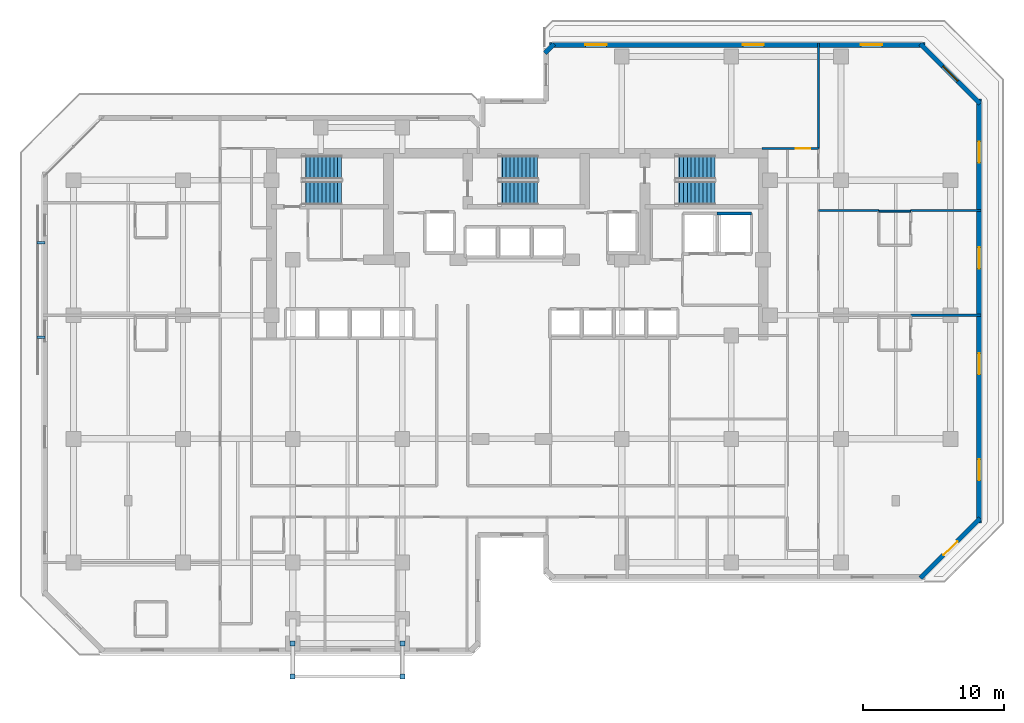
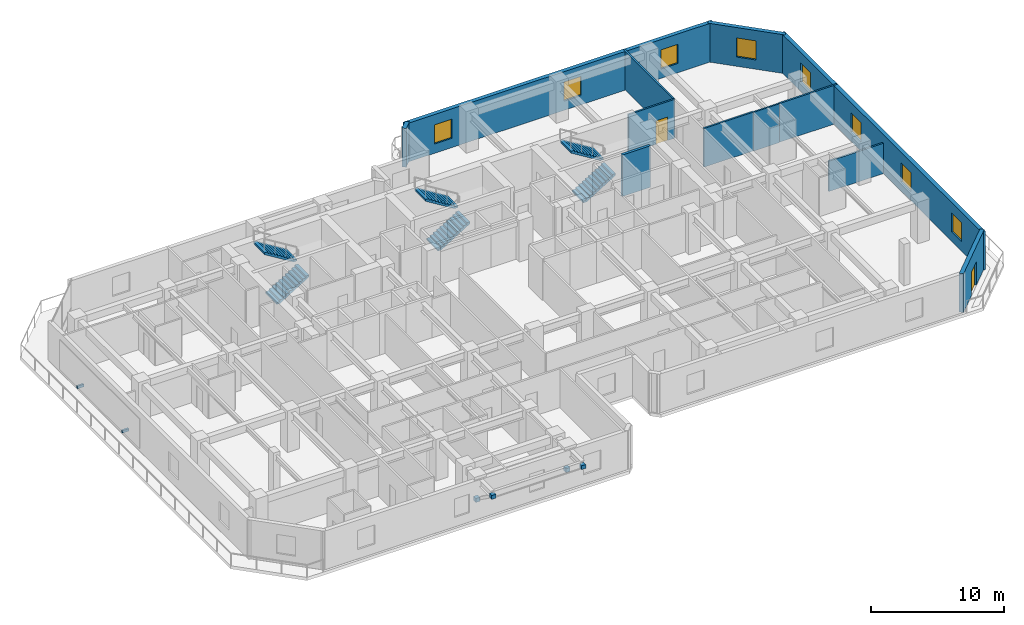
# One storey, part 9 of 11: 12 walls, 8 windows, 6 discrete accessories, 6 stair flights, 2 doors, 10 openings, 3 elements without a shape of their own.
"""IFC4 building model written with IfcOpenShell, lengths in metres."""

from ifc_helpers import new_model, si_unit, direction, frame, frame_2d, origin, origin_2d, place, context, subcontext, project, spatial, polyline, rectangle, outline, extrude, material, layer, layer_set, type_object, element, fill, aggregate, save


model = new_model("IFC4")

# Units and contexts
model_context = context("Model", 3, precision=1e-05, world=origin(), true_north=direction((0.0, 1.0)))
body_context = subcontext(model_context, "Body", "Model", "MODEL_VIEW")
ifc_project = project(units=[si_unit("LENGTHUNIT", "METRE"), si_unit("AREAUNIT", "SQUARE_METRE"), si_unit("VOLUMEUNIT", "CUBIC_METRE"), si_unit("PLANEANGLEUNIT", "RADIAN"), si_unit("MASSUNIT", "GRAM", prefix="KILO")], contexts=[model_context])

# Site, building, storey
site_placement = place(None, origin())
site = spatial("IfcSite", under=ifc_project, at=site_placement, CompositionType="ELEMENT")
building_placement = place(site_placement, origin())
building = spatial("IfcBuilding", under=site, at=building_placement, Name="Kestravale Grand Hotel", CompositionType="ELEMENT")
storey_placement = place(building_placement, frame((0.0, 0.0, 134.60009765625)))
storey = spatial("IfcBuildingStorey", under=building, at=storey_placement, Name="L33", CompositionType="ELEMENT", Elevation=134.60009765625)

# Wall, opening, door
ifc_material_1 = material(Name="Precast concrete f'c 45 MPa", Category="concrete")
ifc_layer_1 = layer(ifc_material_1, 0.340087890625)
ifc_layer_set_1 = layer_set([ifc_layer_1], Name="EW-PREC-340")
wall_type_1 = type_object("IfcWallType", Name="EW-PREC-340", PredefinedType="SOLIDWALL", material=ifc_layer_set_1)
wall_1_placement = place(storey_placement, frame((68.051513671875, 10.091796875, 0.0), z_axis=(0.0, 0.0, 1.0), x_axis=(0.707106781187, 0.707106781187, 0.0)))
wall_1 = element("IfcWall", 1, at=wall_1_placement, inside=storey, type_object=wall_type_1, Name="L33 fluted precast facade wall 8", PredefinedType="SOLIDWALL", context=body_context, shape_type="SweptSolid", body=[
    extrude(rectangle(XDim=6.019775390625, YDim=0.340087890625, at=frame_2d((3.009765625, 0.0))), origin(), (0.0, 0.0, 1.0), 3.5498046875),
])
opening_1_placement = place(wall_1_placement, frame((2.309814453125, 0.0, 0.0)))
opening_1 = element("IfcOpeningElement", 2, at=opening_1_placement, cuts=wall_1, Name="Opening D-TERR-1400", PredefinedType="OPENING", context=body_context, shape_type="SweptSolid", body=[
    extrude(rectangle(XDim=1.39990234375, YDim=2.14990234375, at=frame_2d((0.699951171875, 1.074951171875))), frame((0.0, 0.179931640625, 0.0), z_axis=(0.0, -1.0, 0.0), x_axis=(1.0, 0.0, 0.0)), (0.0, 0.0, 1.0), 0.360107421875),
])
ifc_material_2 = material(Name="Insulated glazed champagne-bronze aluminium door", Category="aluminium")
door_type_1 = type_object("IfcDoorType", Name="D-TERR-1400", OperationType="NOTDEFINED", PredefinedType="DOOR", material=ifc_material_2)
door_1_placement = place(opening_1_placement, origin())
door_1 = element("IfcDoor", 3, at=door_1_placement, inside=storey, type_object=door_type_1, Name="L33 outdoor garden terrace door", OperationType="DOUBLE_DOOR_SINGLE_SWING", OverallHeight=2.14990234375, OverallWidth=1.39990234375, PredefinedType="DOOR", context=body_context, shape_type="SweptSolid", body=[
    extrude(rectangle(XDim=1.39990234375, YDim=2.14990234375, at=frame_2d((0.699951171875, 1.074951171875))), frame((0.0, 0.02490234375, 0.0), z_axis=(0.0, -1.0, 0.0), x_axis=(1.0, 0.0, 0.0)), (0.0, 0.0, 1.0), 0.050048828125),
])
fill(opening_1, door_1)

# Wall, openings, windows
wall_2_placement = place(storey_placement, frame((72.22998046875, 14.030029296875, 0.0), z_axis=(0.0, 0.0, 1.0), x_axis=(0.0, 1.0, 0.0)))
wall_2 = element("IfcWall", 4, at=wall_2_placement, inside=storey, type_object=wall_type_1, Name="L33 fluted precast facade wall 9", PredefinedType="SOLIDWALL", context=body_context, shape_type="SweptSolid", body=[
    extrude(rectangle(XDim=30.139892578125, YDim=0.340087890625, at=frame_2d((15.06982421875, 0.0))), origin(), (0.0, 0.0, 1.0), 3.5498046875),
])
opening_2_placement = place(wall_2_placement, frame((3.017578125, 0.0, 0.85009765625)))
opening_2 = element("IfcOpeningElement", 5, at=opening_2_placement, cuts=wall_2, Name="Opening W-GUEST-1500", PredefinedType="OPENING", context=body_context, shape_type="SweptSolid", body=[
    extrude(rectangle(XDim=1.5, YDim=1.75, at=frame_2d((0.75, 0.875))), frame((0.0, 0.179931640625, 0.0), z_axis=(0.0, -1.0, 0.0), x_axis=(1.0, 0.0, 0.0)), (0.0, 0.0, 1.0), 0.360107421875),
])
opening_3_placement = place(wall_2_placement, frame((10.552490234375, 0.0, 0.85009765625)))
opening_3 = element("IfcOpeningElement", 6, at=opening_3_placement, cuts=wall_2, Name="Opening W-GUEST-1500", PredefinedType="OPENING", context=body_context, shape_type="SweptSolid", body=[
    extrude(rectangle(XDim=1.5, YDim=1.75, at=frame_2d((0.75, 0.875))), frame((0.0, 0.179931640625, 0.0), z_axis=(0.0, -1.0, 0.0), x_axis=(1.0, 0.0, 0.0)), (0.0, 0.0, 1.0), 0.360107421875),
])
opening_4_placement = place(wall_2_placement, frame((18.08740234375, 0.0, 0.85009765625)))
opening_4 = element("IfcOpeningElement", 7, at=opening_4_placement, cuts=wall_2, Name="Opening W-GUEST-1500", PredefinedType="OPENING", context=body_context, shape_type="SweptSolid", body=[
    extrude(rectangle(XDim=1.5, YDim=1.75, at=frame_2d((0.75, 0.875))), frame((0.0, 0.179931640625, 0.0), z_axis=(0.0, -1.0, 0.0), x_axis=(1.0, 0.0, 0.0)), (0.0, 0.0, 1.0), 0.360107421875),
])
opening_5_placement = place(wall_2_placement, frame((25.62255859375, 0.0, 0.85009765625)))
opening_5 = element("IfcOpeningElement", 8, at=opening_5_placement, cuts=wall_2, Name="Opening W-GUEST-1500", PredefinedType="OPENING", context=body_context, shape_type="SweptSolid", body=[
    extrude(rectangle(XDim=1.5, YDim=1.75, at=frame_2d((0.75, 0.875))), frame((0.0, 0.179931640625, 0.0), z_axis=(0.0, -1.0, 0.0), x_axis=(1.0, 0.0, 0.0)), (0.0, 0.0, 1.0), 0.360107421875),
])
ifc_material_3 = material(Name="Insulated low-E double glazing in aluminium frame", Category="aluminium")
window_type = type_object("IfcWindowType", Name="W-GUEST-1500", PartitioningType="SINGLE_PANEL", PredefinedType="WINDOW", material=ifc_material_3)
window_1_placement = place(opening_2_placement, origin())
window_1 = element("IfcWindow", 9, at=window_1_placement, inside=storey, type_object=window_type, Name="L33 exterior window 9.1", OverallHeight=1.75, OverallWidth=1.5, PartitioningType="SINGLE_PANEL", PredefinedType="WINDOW", context=body_context, shape_type="SweptSolid", body=[
    extrude(rectangle(XDim=1.5, YDim=1.75, at=frame_2d((0.75, 0.875))), frame((0.0, 0.030029296875, 0.0), z_axis=(0.0, -1.0, 0.0), x_axis=(1.0, 0.0, 0.0)), (0.0, 0.0, 1.0), 0.06005859375),
])
fill(opening_2, window_1)
window_2_placement = place(opening_3_placement, origin())
window_2 = element("IfcWindow", 10, at=window_2_placement, inside=storey, type_object=window_type, Name="L33 exterior window 9.2", OverallHeight=1.75, OverallWidth=1.5, PartitioningType="SINGLE_PANEL", PredefinedType="WINDOW", context=body_context, shape_type="SweptSolid", body=[
    extrude(rectangle(XDim=1.5, YDim=1.75, at=frame_2d((0.75, 0.875))), frame((0.0, 0.030029296875, 0.0), z_axis=(0.0, -1.0, 0.0), x_axis=(1.0, 0.0, 0.0)), (0.0, 0.0, 1.0), 0.06005859375),
])
fill(opening_3, window_2)
window_3_placement = place(opening_4_placement, origin())
window_3 = element("IfcWindow", 11, at=window_3_placement, inside=storey, type_object=window_type, Name="L33 exterior window 9.3", OverallHeight=1.75, OverallWidth=1.5, PartitioningType="SINGLE_PANEL", PredefinedType="WINDOW", context=body_context, shape_type="SweptSolid", body=[
    extrude(rectangle(XDim=1.5, YDim=1.75, at=frame_2d((0.75, 0.875))), frame((0.0, 0.030029296875, 0.0), z_axis=(0.0, -1.0, 0.0), x_axis=(1.0, 0.0, 0.0)), (0.0, 0.0, 1.0), 0.06005859375),
])
fill(opening_4, window_3)
window_4_placement = place(opening_5_placement, origin())
window_4 = element("IfcWindow", 12, at=window_4_placement, inside=storey, type_object=window_type, Name="L33 exterior window 9.4", OverallHeight=1.75, OverallWidth=1.5, PartitioningType="SINGLE_PANEL", PredefinedType="WINDOW", context=body_context, shape_type="SweptSolid", body=[
    extrude(rectangle(XDim=1.5, YDim=1.75, at=frame_2d((0.75, 0.875))), frame((0.0, 0.030029296875, 0.0), z_axis=(0.0, -1.0, 0.0), x_axis=(1.0, 0.0, 0.0)), (0.0, 0.0, 1.0), 0.06005859375),
])
fill(opening_5, window_4)

# Wall, opening, window
wall_3_placement = place(storey_placement, frame((72.30810546875, 43.8515625, 0.0), z_axis=(0.0, 0.0, 1.0), x_axis=(-0.707106781187, 0.707106781187, 0.0)))
wall_3 = element("IfcWall", 13, at=wall_3_placement, inside=storey, type_object=wall_type_1, Name="L33 fluted precast facade wall 10", PredefinedType="SOLIDWALL", context=body_context, shape_type="SweptSolid", body=[
    extrude(rectangle(XDim=6.019775390625, YDim=0.340087890625, at=frame_2d((3.009765625, 0.0))), origin(), (0.0, 0.0, 1.0), 3.5498046875),
])
opening_6_placement = place(wall_3_placement, frame((2.260009765625, 0.0, 0.85009765625)))
opening_6 = element("IfcOpeningElement", 14, at=opening_6_placement, cuts=wall_3, Name="Opening W-GUEST-1500", PredefinedType="OPENING", context=body_context, shape_type="SweptSolid", body=[
    extrude(rectangle(XDim=1.5, YDim=1.75, at=frame_2d((0.75, 0.875))), frame((0.0, 0.179931640625, 0.0), z_axis=(0.0, -1.0, 0.0), x_axis=(1.0, 0.0, 0.0)), (0.0, 0.0, 1.0), 0.360107421875),
])
window_5_placement = place(opening_6_placement, origin())
window_5 = element("IfcWindow", 15, at=window_5_placement, inside=storey, type_object=window_type, Name="L33 exterior window 10.1", OverallHeight=1.75, OverallWidth=1.5, PartitioningType="SINGLE_PANEL", PredefinedType="WINDOW", context=body_context, shape_type="SweptSolid", body=[
    extrude(rectangle(XDim=1.5, YDim=1.75, at=frame_2d((0.75, 0.875))), frame((0.0, 0.030029296875, 0.0), z_axis=(0.0, -1.0, 0.0), x_axis=(1.0, 0.0, 0.0)), (0.0, 0.0, 1.0), 0.06005859375),
])
fill(opening_6, window_5)

# Wall, openings, windows
wall_4_placement = place(storey_placement, frame((68.3701171875, 48.030029296875, 0.0), z_axis=(0.0, 0.0, 1.0), x_axis=(-1.0, 0.0, 0.0)))
wall_4 = element("IfcWall", 16, at=wall_4_placement, inside=storey, type_object=wall_type_1, Name="L33 fluted precast facade wall 11", PredefinedType="SOLIDWALL", context=body_context, shape_type="SweptSolid", body=[
    extrude(rectangle(XDim=26.690185546875, YDim=0.340087890625, at=frame_2d((13.34521484375, 0.0))), origin(), (0.0, 0.0, 1.0), 3.5498046875),
])
opening_7_placement = place(wall_4_placement, frame((3.04833984375, 0.0, 0.85009765625)))
opening_7 = element("IfcOpeningElement", 17, at=opening_7_placement, cuts=wall_4, Name="Opening W-GUEST-1500", PredefinedType="OPENING", context=body_context, shape_type="SweptSolid", body=[
    extrude(rectangle(XDim=1.5, YDim=1.75, at=frame_2d((0.75, 0.875))), frame((0.0, 0.179931640625, 0.0), z_axis=(0.0, -1.0, 0.0), x_axis=(1.0, 0.0, 0.0)), (0.0, 0.0, 1.0), 0.360107421875),
])
opening_8_placement = place(wall_4_placement, frame((11.445068359375, 0.0, 0.85009765625)))
opening_8 = element("IfcOpeningElement", 18, at=opening_8_placement, cuts=wall_4, Name="Opening W-GUEST-1500", PredefinedType="OPENING", context=body_context, shape_type="SweptSolid", body=[
    extrude(rectangle(XDim=1.5, YDim=1.75, at=frame_2d((0.75, 0.875))), frame((0.0, 0.179931640625, 0.0), z_axis=(0.0, -1.0, 0.0), x_axis=(1.0, 0.0, 0.0)), (0.0, 0.0, 1.0), 0.360107421875),
])
opening_9_placement = place(wall_4_placement, frame((22.6416015625, 0.0, 0.85009765625)))
opening_9 = element("IfcOpeningElement", 19, at=opening_9_placement, cuts=wall_4, Name="Opening W-GUEST-1500", PredefinedType="OPENING", context=body_context, shape_type="SweptSolid", body=[
    extrude(rectangle(XDim=1.5, YDim=1.75, at=frame_2d((0.75, 0.875))), frame((0.0, 0.179931640625, 0.0), z_axis=(0.0, -1.0, 0.0), x_axis=(1.0, 0.0, 0.0)), (0.0, 0.0, 1.0), 0.360107421875),
])
window_6_placement = place(opening_7_placement, origin())
window_6 = element("IfcWindow", 20, at=window_6_placement, inside=storey, type_object=window_type, Name="L33 exterior window 11.1", OverallHeight=1.75, OverallWidth=1.5, PartitioningType="SINGLE_PANEL", PredefinedType="WINDOW", context=body_context, shape_type="SweptSolid", body=[
    extrude(rectangle(XDim=1.5, YDim=1.75, at=frame_2d((0.75, 0.875))), frame((0.0, 0.030029296875, 0.0), z_axis=(0.0, -1.0, 0.0), x_axis=(1.0, 0.0, 0.0)), (0.0, 0.0, 1.0), 0.06005859375),
])
fill(opening_7, window_6)
window_7_placement = place(opening_8_placement, origin())
window_7 = element("IfcWindow", 21, at=window_7_placement, inside=storey, type_object=window_type, Name="L33 exterior window 11.2", OverallHeight=1.75, OverallWidth=1.5, PartitioningType="SINGLE_PANEL", PredefinedType="WINDOW", context=body_context, shape_type="SweptSolid", body=[
    extrude(rectangle(XDim=1.5, YDim=1.75, at=frame_2d((0.75, 0.875))), frame((0.0, 0.030029296875, 0.0), z_axis=(0.0, -1.0, 0.0), x_axis=(1.0, 0.0, 0.0)), (0.0, 0.0, 1.0), 0.06005859375),
])
fill(opening_8, window_7)
window_8_placement = place(opening_9_placement, origin())
window_8 = element("IfcWindow", 22, at=window_8_placement, inside=storey, type_object=window_type, Name="L33 exterior window 11.3", OverallHeight=1.75, OverallWidth=1.5, PartitioningType="SINGLE_PANEL", PredefinedType="WINDOW", context=body_context, shape_type="SweptSolid", body=[
    extrude(rectangle(XDim=1.5, YDim=1.75, at=frame_2d((0.75, 0.875))), frame((0.0, 0.030029296875, 0.0), z_axis=(0.0, -1.0, 0.0), x_axis=(1.0, 0.0, 0.0)), (0.0, 0.0, 1.0), 0.06005859375),
])
fill(opening_9, window_8)

# Walls
wall_5_placement = place(storey_placement, frame((41.99853515625, 48.108154296875, 0.0), z_axis=(0.0, 0.0, 1.0), x_axis=(-0.707106781187, -0.707106781187, 0.0)))
element("IfcWall", 23, at=wall_5_placement, inside=storey, type_object=wall_type_1, Name="L33 fluted precast facade wall 12", PredefinedType="SOLIDWALL", context=body_context, shape_type="SweptSolid", body=[
    extrude(rectangle(XDim=0.9287109375, YDim=0.340087890625, at=frame_2d((0.46435546875, 0.0))), origin(), (0.0, 0.0, 1.0), 3.5498046875),
])
ifc_material_4 = material(Name="Moisture-resistant tile-backer plumbing chase wall", Category="other")
ifc_layer_2 = layer(ifc_material_4, 0.139892578125)
ifc_layer_set_2 = layer_set([ifc_layer_2], Name="IW-PLB-140")
wall_type_2 = type_object("IfcWallType", Name="IW-PLB-140", PredefinedType="PLUMBINGWALL", material=ifc_layer_set_2)
wall_6_placement = place(storey_placement, frame((65.10009765625, 36.2099609375, 0.0), z_axis=(0.0, 0.0, 1.0), x_axis=(1.0, 0.0, 0.0)))
element("IfcWall", 24, at=wall_6_placement, inside=storey, type_object=wall_type_2, Name="W-L33-U07-BN", PredefinedType="PLUMBINGWALL", context=body_context, shape_type="SweptSolid", body=[
    extrude(rectangle(XDim=2.25, YDim=0.139892578125, at=frame_2d((1.125, 0.0))), origin(), (0.0, 0.0, 1.0), 3.5498046875),
])
ifc_material_5 = material(Name="Concrete f'c 45 MPa", Category="concrete")
ifc_layer_3 = layer(ifc_material_5, 0.219970703125)
ifc_layer_set_3 = layer_set([ifc_layer_3], Name="IW-SHAFT-220")
wall_type_3 = type_object("IfcWallType", Name="IW-SHAFT-220", PredefinedType="SHEAR", material=ifc_layer_set_3)
wall_7_placement = place(storey_placement, frame((53.60009765625, 36.030029296875, 0.0), z_axis=(0.0, 0.0, 1.0), x_axis=(1.0, 0.0, 0.0)))
element("IfcWall", 25, at=wall_7_placement, inside=storey, type_object=wall_type_3, Name="L33 SL-2 north shaft wall", PredefinedType="SHEAR", context=body_context, shape_type="SweptSolid", body=[
    extrude(rectangle(XDim=2.419921875, YDim=0.219970703125, at=frame_2d((1.2099609375, 0.0))), origin(), (0.0, 0.0, 1.0), 3.7998046875),
])

# Wall, opening, door
ifc_material_6 = material(Name="Double-stud STC 52 acoustic demising partition", Category="other")
ifc_layer_4 = layer(ifc_material_6, 0.14990234375)
ifc_layer_set_4 = layer_set([ifc_layer_4], Name="IW-UNIT-150")
wall_type_4 = type_object("IfcWallType", Name="IW-UNIT-150", PredefinedType="PARTITIONING", material=ifc_layer_set_4)
wall_8_placement = place(storey_placement, frame((56.800048828125, 40.64990234375, 0.0), z_axis=(0.0, 0.0, 1.0), x_axis=(1.0, 0.0, 0.0)))
wall_8 = element("IfcWall", 26, at=wall_8_placement, inside=storey, type_object=wall_type_4, Name="W-L33-SE-N", PredefinedType="PARTITIONING", context=body_context, shape_type="SweptSolid", body=[
    extrude(rectangle(XDim=4.010009765625, YDim=0.14990234375, at=frame_2d((2.0048828125, 0.0))), origin(), (0.0, 0.0, 1.0), 3.5498046875),
])
opening_10_placement = place(wall_8_placement, frame((2.39990234375, 0.0, 0.0)))
opening_10 = element("IfcOpeningElement", 27, at=opening_10_placement, cuts=wall_8, Name="Opening D-GUEST-1000", PredefinedType="OPENING", context=body_context, shape_type="SweptSolid", body=[
    extrude(rectangle(XDim=1.0, YDim=2.14990234375, at=frame_2d((0.5, 1.074951171875))), frame((0.0, 0.0849609375, 0.0), z_axis=(0.0, -1.0, 0.0), x_axis=(1.0, 0.0, 0.0)), (0.0, 0.0, 1.0), 0.169921875),
])
ifc_material_7 = material(Name="Accessible walnut veneer hotel entrance fire door", Category="wood")
door_type_2 = type_object("IfcDoorType", Name="D-GUEST-1000", OperationType="NOTDEFINED", PredefinedType="DOOR", material=ifc_material_7)
door_2_placement = place(opening_10_placement, origin())
door_2 = element("IfcDoor", 28, at=door_2_placement, inside=storey, type_object=door_type_2, Name="L33 NE Gallery Door", OperationType="SINGLE_SWING_LEFT", OverallHeight=2.14990234375, OverallWidth=1.0, PredefinedType="DOOR", context=body_context, shape_type="SweptSolid", body=[
    extrude(rectangle(XDim=1.0, YDim=2.14990234375, at=frame_2d((0.5, 1.074951171875))), frame((0.0, 0.02490234375, 0.0), z_axis=(0.0, -1.0, 0.0), x_axis=(1.0, 0.0, 0.0)), (0.0, 0.0, 1.0), 0.050048828125),
])
fill(opening_10, door_2)

# Walls
wall_9_placement = place(storey_placement, frame((60.81005859375, 40.64990234375, 0.0), z_axis=(0.0, 0.0, 1.0), x_axis=(0.0, 1.0, 0.0)))
element("IfcWall", 29, at=wall_9_placement, inside=storey, type_object=wall_type_4, Name="W-L33-NGE-E", PredefinedType="PARTITIONING", context=body_context, shape_type="SweptSolid", body=[
    extrude(rectangle(XDim=7.530029296875, YDim=0.14990234375, at=frame_2d((3.76513671875, 0.0))), origin(), (0.0, 0.0, 1.0), 3.5498046875),
])
wall_10_placement = place(storey_placement, frame((67.35009765625, 28.800048828125, 0.0), z_axis=(0.0, 0.0, 1.0), x_axis=(1.0, 0.0, 0.0)))
element("IfcWall", 30, at=wall_10_placement, inside=storey, type_object=wall_type_4, Name="W-L33-EW-1", PredefinedType="PARTITIONING", context=body_context, shape_type="SweptSolid", body=[
    extrude(rectangle(XDim=5.02978515625, YDim=0.14990234375, at=frame_2d((2.514892578125, 0.0))), origin(), (0.0, 0.0, 1.0), 2.77783203125),
])
wall_11_placement = place(storey_placement, frame((60.81005859375, 36.25, 0.0), z_axis=(0.0, 0.0, 1.0), x_axis=(1.0, 0.0, 0.0)))
element("IfcWall", 31, at=wall_11_placement, inside=storey, type_object=wall_type_4, Name="W-L33-EW-2", PredefinedType="PARTITIONING", context=body_context, shape_type="SweptSolid", body=[
    extrude(rectangle(XDim=4.2900390625, YDim=0.14990234375, at=frame_2d((2.14501953125, 0.0))), origin(), (0.0, 0.0, 1.0), 3.5498046875),
])
wall_12_placement = place(storey_placement, frame((67.35009765625, 36.25, 0.0), z_axis=(0.0, 0.0, 1.0), x_axis=(1.0, 0.0, 0.0)))
element("IfcWall", 32, at=wall_12_placement, inside=storey, type_object=wall_type_4, Name="W-L33-EW-2", PredefinedType="PARTITIONING", context=body_context, shape_type="SweptSolid", body=[
    extrude(rectangle(XDim=5.02978515625, YDim=0.14990234375, at=frame_2d((2.514892578125, 0.0))), origin(), (0.0, 0.0, 1.0), 3.5498046875),
])

# Stair, stair flights
ifc_material_8 = material(Name="Concrete f'c 45 MPa", Category="concrete")
stair_type = type_object("IfcStairType", Name="ST-CORE-380", PredefinedType="HALF_TURN_STAIR", material=ifc_material_8)
stair_1_placement = place(storey_placement, origin())
stair_1 = element("IfcStair", 33, at=stair_1_placement, inside=storey, type_object=stair_type, Name="L33 ST-1", PredefinedType="HALF_TURN_STAIR")
ifc_material_9 = material(Name="Concrete f'c 45 MPa", Category="concrete")
stair_flight_type = type_object("IfcStairFlightType", Name="STF-CORE-380", PredefinedType="STRAIGHT", material=ifc_material_9)
stair_flight_1_placement = place(storey_placement, frame((24.080078125, 37.489990234375, 0.0), z_axis=(0.0, 0.0, 1.0), x_axis=(1.0, 0.0, 0.0)))
stair_flight_1 = element("IfcStairFlight", 34, at=stair_flight_1_placement, type_object=stair_flight_type, Name="ST-1 flight 1", NumberOfRisers=11, NumberOfTreads=10, PredefinedType="STRAIGHT", RiserHeight=0.172727273, TreadLength=0.28, context=body_context, shape_type="SweptSolid", body=[
    extrude(outline(polyline([(0.0, 0.0), (0.0, 0.172607421875), (0.280029296875, 0.172607421875), (0.280029296875, 0.345458984375), (0.56005859375, 0.345458984375), (0.56005859375, 0.51806640625), (0.840087890625, 0.51806640625), (0.840087890625, 0.69091796875), (1.1201171875, 0.69091796875), (1.1201171875, 0.863525390625), (1.39990234375, 0.863525390625), (1.39990234375, 1.036376953125), (1.679931640625, 1.036376953125), (1.679931640625, 1.208984375), (1.9599609375, 1.208984375), (1.9599609375, 1.3818359375), (2.239990234375, 1.3818359375), (2.239990234375, 1.554443359375), (2.52001953125, 1.554443359375), (2.52001953125, 1.727294921875), (2.800048828125, 1.727294921875), (2.800048828125, 1.89990234375), (2.800048828125, 1.551025390625), (0.285400390625, 0.0), (0.0, 0.0)])), frame((0.0, 0.83984375, 0.0), z_axis=(0.0, -1.0, 0.0), x_axis=(1.0, 0.0, 0.0)), (0.0, 0.0, 1.0), 1.679931640625),
])
stair_flight_2_placement = place(storey_placement, frame((26.8798828125, 39.320068359375, 1.89990234375), z_axis=(0.0, 0.0, 1.0), x_axis=(-1.0, 0.0, 0.0)))
stair_flight_2 = element("IfcStairFlight", 35, at=stair_flight_2_placement, type_object=stair_flight_type, Name="ST-1 flight 2", NumberOfRisers=11, NumberOfTreads=10, PredefinedType="STRAIGHT", RiserHeight=0.172727273, TreadLength=0.28, context=body_context, shape_type="SweptSolid", body=[
    extrude(outline(polyline([(0.0, 0.0), (0.0, 0.172607421875), (0.280029296875, 0.172607421875), (0.280029296875, 0.345458984375), (0.56005859375, 0.345458984375), (0.56005859375, 0.51806640625), (0.840087890625, 0.51806640625), (0.840087890625, 0.69091796875), (1.1201171875, 0.69091796875), (1.1201171875, 0.863525390625), (1.39990234375, 0.863525390625), (1.39990234375, 1.036376953125), (1.679931640625, 1.036376953125), (1.679931640625, 1.208984375), (1.9599609375, 1.208984375), (1.9599609375, 1.3818359375), (2.239990234375, 1.3818359375), (2.239990234375, 1.554443359375), (2.52001953125, 1.554443359375), (2.52001953125, 1.727294921875), (2.800048828125, 1.727294921875), (2.800048828125, 1.89990234375), (2.800048828125, 1.551025390625), (0.285400390625, 0.0), (0.0, 0.0)])), frame((0.0, 0.83984375, 0.0), z_axis=(0.0, -1.0, 0.0), x_axis=(1.0, 0.0, 0.0)), (0.0, 0.0, 1.0), 1.679931640625),
])
aggregate(stair_1, [stair_flight_1, stair_flight_2])

stair_2_placement = place(storey_placement, origin())
stair_2 = element("IfcStair", 36, at=stair_2_placement, inside=storey, type_object=stair_type, Name="L33 ST-2", PredefinedType="HALF_TURN_STAIR")
stair_flight_3_placement = place(storey_placement, frame((38.030029296875, 37.489990234375, 0.0), z_axis=(0.0, 0.0, 1.0), x_axis=(1.0, 0.0, 0.0)))
stair_flight_3 = element("IfcStairFlight", 37, at=stair_flight_3_placement, type_object=stair_flight_type, Name="ST-2 flight 1", NumberOfRisers=11, NumberOfTreads=10, PredefinedType="STRAIGHT", RiserHeight=0.172727273, TreadLength=0.28, context=body_context, shape_type="SweptSolid", body=[
    extrude(outline(polyline([(0.0, 0.0), (0.0, 0.172607421875), (0.280029296875, 0.172607421875), (0.280029296875, 0.345458984375), (0.56005859375, 0.345458984375), (0.56005859375, 0.51806640625), (0.840087890625, 0.51806640625), (0.840087890625, 0.69091796875), (1.1201171875, 0.69091796875), (1.1201171875, 0.863525390625), (1.39990234375, 0.863525390625), (1.39990234375, 1.036376953125), (1.679931640625, 1.036376953125), (1.679931640625, 1.208984375), (1.9599609375, 1.208984375), (1.9599609375, 1.3818359375), (2.239990234375, 1.3818359375), (2.239990234375, 1.554443359375), (2.52001953125, 1.554443359375), (2.52001953125, 1.727294921875), (2.800048828125, 1.727294921875), (2.800048828125, 1.89990234375), (2.800048828125, 1.551025390625), (0.285400390625, 0.0), (0.0, 0.0)])), frame((0.0, 0.83984375, 0.0), z_axis=(0.0, -1.0, 0.0), x_axis=(1.0, 0.0, 0.0)), (0.0, 0.0, 1.0), 1.679931640625),
])
stair_flight_4_placement = place(storey_placement, frame((40.830078125, 39.320068359375, 1.89990234375), z_axis=(0.0, 0.0, 1.0), x_axis=(-1.0, 0.0, 0.0)))
stair_flight_4 = element("IfcStairFlight", 38, at=stair_flight_4_placement, type_object=stair_flight_type, Name="ST-2 flight 2", NumberOfRisers=11, NumberOfTreads=10, PredefinedType="STRAIGHT", RiserHeight=0.172727273, TreadLength=0.28, context=body_context, shape_type="SweptSolid", body=[
    extrude(outline(polyline([(0.0, 0.0), (0.0, 0.172607421875), (0.280029296875, 0.172607421875), (0.280029296875, 0.345458984375), (0.56005859375, 0.345458984375), (0.56005859375, 0.51806640625), (0.840087890625, 0.51806640625), (0.840087890625, 0.69091796875), (1.1201171875, 0.69091796875), (1.1201171875, 0.863525390625), (1.39990234375, 0.863525390625), (1.39990234375, 1.036376953125), (1.679931640625, 1.036376953125), (1.679931640625, 1.208984375), (1.9599609375, 1.208984375), (1.9599609375, 1.3818359375), (2.239990234375, 1.3818359375), (2.239990234375, 1.554443359375), (2.52001953125, 1.554443359375), (2.52001953125, 1.727294921875), (2.800048828125, 1.727294921875), (2.800048828125, 1.89990234375), (2.800048828125, 1.551025390625), (0.285400390625, 0.0), (0.0, 0.0)])), frame((0.0, 0.83984375, 0.0), z_axis=(0.0, -1.0, 0.0), x_axis=(1.0, 0.0, 0.0)), (0.0, 0.0, 1.0), 1.679931640625),
])
aggregate(stair_2, [stair_flight_3, stair_flight_4])

stair_3_placement = place(storey_placement, origin())
stair_3 = element("IfcStair", 39, at=stair_3_placement, inside=storey, type_object=stair_type, Name="L33 ST-3", PredefinedType="HALF_TURN_STAIR")
stair_flight_5_placement = place(storey_placement, frame((50.6298828125, 37.489990234375, 0.0), z_axis=(0.0, 0.0, 1.0), x_axis=(1.0, 0.0, 0.0)))
stair_flight_5 = element("IfcStairFlight", 40, at=stair_flight_5_placement, type_object=stair_flight_type, Name="ST-3 flight 1", NumberOfRisers=11, NumberOfTreads=10, PredefinedType="STRAIGHT", RiserHeight=0.172727273, TreadLength=0.28, context=body_context, shape_type="SweptSolid", body=[
    extrude(outline(polyline([(0.0, 0.0), (0.0, 0.172607421875), (0.280029296875, 0.172607421875), (0.280029296875, 0.345458984375), (0.56005859375, 0.345458984375), (0.56005859375, 0.51806640625), (0.840087890625, 0.51806640625), (0.840087890625, 0.69091796875), (1.1201171875, 0.69091796875), (1.1201171875, 0.863525390625), (1.39990234375, 0.863525390625), (1.39990234375, 1.036376953125), (1.679931640625, 1.036376953125), (1.679931640625, 1.208984375), (1.9599609375, 1.208984375), (1.9599609375, 1.3818359375), (2.239990234375, 1.3818359375), (2.239990234375, 1.554443359375), (2.52001953125, 1.554443359375), (2.52001953125, 1.727294921875), (2.800048828125, 1.727294921875), (2.800048828125, 1.89990234375), (2.800048828125, 1.551025390625), (0.285400390625, 0.0), (0.0, 0.0)])), frame((0.0, 0.83984375, 0.0), z_axis=(0.0, -1.0, 0.0), x_axis=(1.0, 0.0, 0.0)), (0.0, 0.0, 1.0), 1.679931640625),
])
stair_flight_6_placement = place(storey_placement, frame((53.429931640625, 39.320068359375, 1.89990234375), z_axis=(0.0, 0.0, 1.0), x_axis=(-1.0, 0.0, 0.0)))
stair_flight_6 = element("IfcStairFlight", 41, at=stair_flight_6_placement, type_object=stair_flight_type, Name="ST-3 flight 2", NumberOfRisers=11, NumberOfTreads=10, PredefinedType="STRAIGHT", RiserHeight=0.172727273, TreadLength=0.28, context=body_context, shape_type="SweptSolid", body=[
    extrude(outline(polyline([(0.0, 0.0), (0.0, 0.172607421875), (0.280029296875, 0.172607421875), (0.280029296875, 0.345458984375), (0.56005859375, 0.345458984375), (0.56005859375, 0.51806640625), (0.840087890625, 0.51806640625), (0.840087890625, 0.69091796875), (1.1201171875, 0.69091796875), (1.1201171875, 0.863525390625), (1.39990234375, 0.863525390625), (1.39990234375, 1.036376953125), (1.679931640625, 1.036376953125), (1.679931640625, 1.208984375), (1.9599609375, 1.208984375), (1.9599609375, 1.3818359375), (2.239990234375, 1.3818359375), (2.239990234375, 1.554443359375), (2.52001953125, 1.554443359375), (2.52001953125, 1.727294921875), (2.800048828125, 1.727294921875), (2.800048828125, 1.89990234375), (2.800048828125, 1.551025390625), (0.285400390625, 0.0), (0.0, 0.0)])), frame((0.0, 0.83984375, 0.0), z_axis=(0.0, -1.0, 0.0), x_axis=(1.0, 0.0, 0.0)), (0.0, 0.0, 1.0), 1.679931640625),
])
aggregate(stair_3, [stair_flight_5, stair_flight_6])

# Discrete accessories
ifc_material_10 = material(Name="Steel ASTM A572 Grade 50 hot-dip galvanised bracket", Category="steel")
discrete_accessory_type = type_object("IfcDiscreteAccessoryType", Name="ACC-BRK-STL", PredefinedType="BRACKET", material=ifc_material_10)
for number, where, z_axis, x_axis, name in (
    (42, (23.39990234375, 5.449951171875, 1.19384765625), (0.0, 0.0, 1.0), (1.0, 0.0, 0.0), "L34 terrace strut column bracket 1"),
    (43, (23.39990234375, 3.10009765625, 2.89404296875), (0.0, 0.0, 1.0), (1.0, 0.0, 0.0), "L34 terrace strut beam bracket 1"),
    (44, (31.199951171875, 5.449951171875, 1.19384765625), (0.0, 0.0, 1.0), (1.0, 0.0, 0.0), "L34 terrace strut column bracket 2"),
    (45, (31.199951171875, 3.10009765625, 2.89404296875), (0.0, 0.0, 1.0), (1.0, 0.0, 0.0), "L34 terrace strut beam bracket 2"),
):
    element("IfcDiscreteAccessory", number, at=place(storey_placement, frame(where, z_axis=z_axis, x_axis=x_axis)), inside=storey, type_object=discrete_accessory_type, Name=name, PredefinedType="BRACKET", context=body_context, shape_type="SweptSolid", body=[
        extrude(rectangle(XDim=0.360107421875, YDim=0.360107421875, at=origin_2d()), origin(), (0.0, 0.0, 1.0), 0.360107421875),
    ])
for number, where, z_axis, x_axis, name in (
    (46, (5.5048828125, 33.9599609375, 0.56005859375), (0.0, 0.0, 1.0), (0.0, -1.0, 0.0), "L33 solar screen standoff bracket 1"),
    (47, (5.5048828125, 27.239990234375, 0.56005859375), (0.0, 0.0, 1.0), (0.0, -1.0, 0.0), "L33 solar screen standoff bracket 2"),
):
    element("IfcDiscreteAccessory", number, at=place(storey_placement, frame(where, z_axis=z_axis, x_axis=x_axis)), inside=storey, type_object=discrete_accessory_type, Name=name, PredefinedType="BRACKET", context=body_context, shape_type="SweptSolid", body=[
        extrude(rectangle(XDim=0.159912109375, YDim=0.56005859375, at=origin_2d()), origin(), (0.0, 0.0, 1.0), 0.239990234375),
    ])

save(model, "model.ifc")
